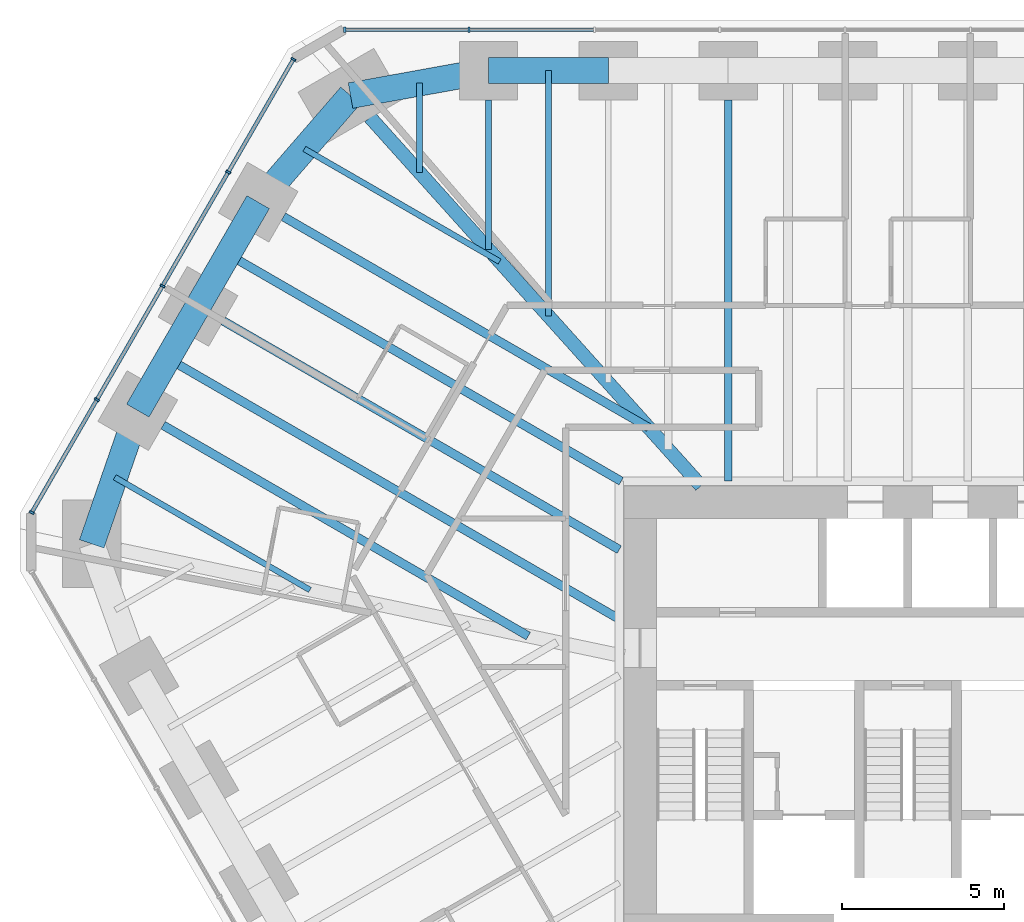
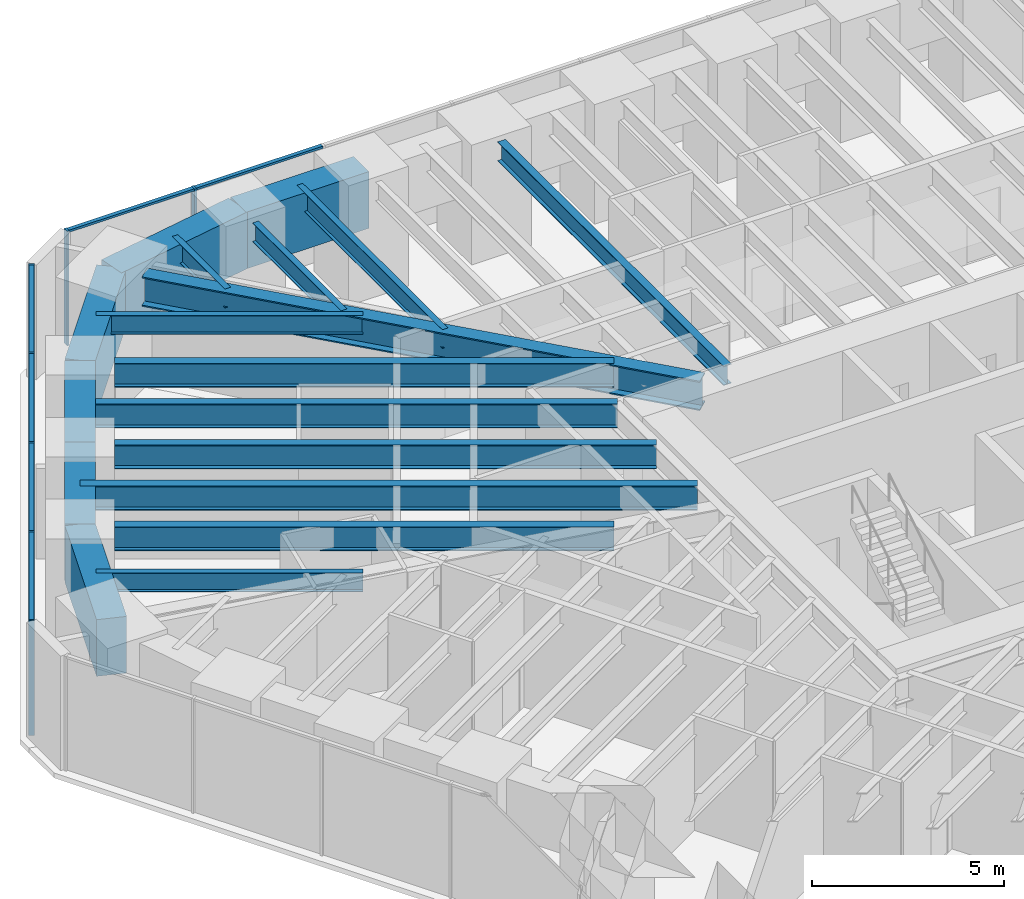
# One storey, part 7 of 16: 18 beams, 13 members, 2 elements without a shape of their own.
"""IFC4 building model written with IfcOpenShell, lengths in metres."""

from ifc_helpers import new_model, si_unit, direction, frame, origin, origin_2d, place, context, subcontext, project, spatial, rectangle, i_section, extrude, material, material_profile, profile_set, type_object, element, aggregate, save


model = new_model("IFC4")

# Units and contexts
model_context = context("Model", 3, precision=1e-05, world=origin(), true_north=direction((0.0, 1.0)))
body_context = subcontext(model_context, "Body", "Model", "MODEL_VIEW")
ifc_project = project(units=[si_unit("LENGTHUNIT", "METRE"), si_unit("AREAUNIT", "SQUARE_METRE"), si_unit("VOLUMEUNIT", "CUBIC_METRE"), si_unit("PLANEANGLEUNIT", "RADIAN"), si_unit("MASSUNIT", "GRAM", prefix="KILO")], contexts=[model_context])

# Site, building, storey
site_placement = place(None, origin())
site = spatial("IfcSite", under=ifc_project, at=site_placement, CompositionType="ELEMENT")
building_placement = place(site_placement, origin())
building = spatial("IfcBuilding", under=site, at=building_placement, Name="Sandreach Pilgrim Tower", CompositionType="ELEMENT")
storey_placement = place(building_placement, frame((0.0, 0.0, 183.199951171875)))
storey = spatial("IfcBuildingStorey", under=building, at=storey_placement, Name="L45", CompositionType="ELEMENT", Elevation=183.199951171875)

# Curtain wall, members
ifc_material_1 = material(Name="Aluminium framed curtain wall", Category="aluminium")
curtain_wall_type = type_object("IfcCurtainWallType", Name="Upper hotel tower curtain wall", PredefinedType="NOTDEFINED", material=ifc_material_1)
curtain_wall_1_placement = place(storey_placement, origin())
curtain_wall_1 = element("IfcCurtainWall", 1, at=curtain_wall_1_placement, inside=storey, type_object=curtain_wall_type, Name="CW-3 L45 N", PredefinedType="NOTDEFINED")
ifc_material_2 = material(Name="Aluminium extrusion", Category="aluminium")
ifc_material_profile_1 = material_profile(ifc_material_2, rectangle(XDim=0.06494140625, YDim=0.159912109375, at=origin_2d()), Name="CW-3M 65X160")
ifc_profile_set_1 = profile_set([ifc_material_profile_1], Name="Aluminium extrusion")
member_type_1 = type_object("IfcMemberType", Name="CW-3 mullion", PredefinedType="MULLION", material=ifc_profile_set_1)
member_1_placement = place(storey_placement, frame((-17.357421875, 21.16015625, 0.0), z_axis=(0.0, 0.0, 1.0), x_axis=(1.0, 0.0, 0.0)))
member_1 = element("IfcMember", 2, at=member_1_placement, type_object=member_type_1, Name="CW-3 mullion 1", PredefinedType="MULLION", context=body_context, shape_type="SweptSolid", body=[
    extrude(rectangle(XDim=0.06494140625, YDim=0.159912109375, at=origin_2d()), origin(), (0.0, 0.0, 1.0), 3.64013671875),
])
member_2_placement = place(storey_placement, frame((-13.525390625, 21.16015625, 0.0), z_axis=(0.0, 0.0, 1.0), x_axis=(1.0, 0.0, 0.0)))
member_2 = element("IfcMember", 3, at=member_2_placement, type_object=member_type_1, Name="CW-3 mullion 2", PredefinedType="MULLION", context=body_context, shape_type="SweptSolid", body=[
    extrude(rectangle(XDim=0.06494140625, YDim=0.159912109375, at=origin_2d()), origin(), (0.0, 0.0, 1.0), 3.64013671875),
])

curtain_wall_2_placement = place(storey_placement, origin())
curtain_wall_2 = element("IfcCurtainWall", 4, at=curtain_wall_2_placement, inside=storey, type_object=curtain_wall_type, Name="CW-3 L45 NW", PredefinedType="NOTDEFINED")
member_3_placement = place(storey_placement, frame((-27.00390625, 6.278076171875, 0.0), z_axis=(0.0, 0.0, 1.0), x_axis=(0.5, 0.866025403784, 0.0)))
member_3 = element("IfcMember", 5, at=member_3_placement, type_object=member_type_1, Name="CW-3 mullion 1", PredefinedType="MULLION", context=body_context, shape_type="SweptSolid", body=[
    extrude(rectangle(XDim=0.06494140625, YDim=0.159912109375, at=origin_2d()), origin(), (0.0, 0.0, 1.0), 3.64013671875),
])
member_4_placement = place(storey_placement, frame((-24.995849609375, 9.75634765625, 0.0), z_axis=(0.0, 0.0, 1.0), x_axis=(0.5, 0.866025403784, 0.0)))
member_4 = element("IfcMember", 6, at=member_4_placement, type_object=member_type_1, Name="CW-3 mullion 2", PredefinedType="MULLION", context=body_context, shape_type="SweptSolid", body=[
    extrude(rectangle(XDim=0.06494140625, YDim=0.159912109375, at=origin_2d()), origin(), (0.0, 0.0, 1.0), 3.64013671875),
])
member_5_placement = place(storey_placement, frame((-22.971435546875, 13.262451171875, 0.0), z_axis=(0.0, 0.0, 1.0), x_axis=(0.5, 0.866025403784, 0.0)))
member_5 = element("IfcMember", 7, at=member_5_placement, type_object=member_type_1, Name="CW-3 mullion 3", PredefinedType="MULLION", context=body_context, shape_type="SweptSolid", body=[
    extrude(rectangle(XDim=0.06494140625, YDim=0.159912109375, at=origin_2d()), origin(), (0.0, 0.0, 1.0), 3.64013671875),
])
member_6_placement = place(storey_placement, frame((-20.947021484375, 16.768798828125, 0.0), z_axis=(0.0, 0.0, 1.0), x_axis=(0.5, 0.866025403784, 0.0)))
member_6 = element("IfcMember", 8, at=member_6_placement, type_object=member_type_1, Name="CW-3 mullion 4", PredefinedType="MULLION", context=body_context, shape_type="SweptSolid", body=[
    extrude(rectangle(XDim=0.06494140625, YDim=0.159912109375, at=origin_2d()), origin(), (0.0, 0.0, 1.0), 3.64013671875),
])
member_7_placement = place(storey_placement, frame((-18.93896484375, 20.2470703125, 0.0), z_axis=(0.0, 0.0, 1.0), x_axis=(0.5, 0.866025403784, 0.0)))
member_7 = element("IfcMember", 9, at=member_7_placement, type_object=member_type_1, Name="CW-3 mullion 5", PredefinedType="MULLION", context=body_context, shape_type="SweptSolid", body=[
    extrude(rectangle(XDim=0.06494140625, YDim=0.159912109375, at=origin_2d()), origin(), (0.0, 0.0, 1.0), 3.64013671875),
])

# Member
ifc_material_3 = material(Name="Aluminium extrusion", Category="aluminium")
ifc_material_profile_2 = material_profile(ifc_material_3, rectangle(XDim=0.1201171875, YDim=0.070068359375, at=origin_2d()), Name="CW-3T 120X70")
ifc_profile_set_2 = profile_set([ifc_material_profile_2], Name="Aluminium extrusion")
member_type_2 = type_object("IfcMemberType", Name="CW-3 transom", PredefinedType="USERDEFINED", material=ifc_profile_set_2)
member_8_placement = place(storey_placement, frame((-17.324951171875, 21.16015625, 3.60498046875), z_axis=(1.0, 0.0, 0.0), x_axis=(0.0, 1.0, 0.0)))
member_8 = element("IfcMember", 10, at=member_8_placement, type_object=member_type_2, Name="CW-3 head transom 1", ObjectType="TRANSOM", PredefinedType="USERDEFINED", context=body_context, shape_type="SweptSolid", body=[
    extrude(rectangle(XDim=0.1201171875, YDim=0.070068359375, at=origin_2d()), origin(), (0.0, 0.0, 1.0), 3.76708984375),
])

member_9_placement = place(storey_placement, frame((-13.492919921875, 21.16015625, 3.60498046875), z_axis=(1.0, 0.0, 0.0), x_axis=(0.0, 1.0, 0.0)))
member_9 = element("IfcMember", 11, at=member_9_placement, type_object=member_type_2, Name="CW-3 head transom 2", ObjectType="TRANSOM", PredefinedType="USERDEFINED", context=body_context, shape_type="SweptSolid", body=[
    extrude(rectangle(XDim=0.1201171875, YDim=0.070068359375, at=origin_2d()), origin(), (0.0, 0.0, 1.0), 3.79931640625),
])

aggregate(curtain_wall_1, [member_1, member_2, member_8, member_9])

member_10_placement = place(storey_placement, frame((-26.987548828125, 6.306396484375, 3.60498046875), z_axis=(0.499993448556, 0.866029186229, 0.0), x_axis=(-0.866029186229, 0.499993448556, 0.0)))
member_10 = element("IfcMember", 12, at=member_10_placement, type_object=member_type_2, Name="CW-3 head transom 1", ObjectType="TRANSOM", PredefinedType="USERDEFINED", context=body_context, shape_type="SweptSolid", body=[
    extrude(rectangle(XDim=0.1201171875, YDim=0.070068359375, at=origin_2d()), origin(), (0.0, 0.0, 1.0), 3.951171875),
])

member_11_placement = place(storey_placement, frame((-24.9794921875, 9.784423828125, 3.60498046875), z_axis=(0.499975332564, 0.866039645067, 0.0), x_axis=(-0.866039645067, 0.499975332564, 0.0)))
member_11 = element("IfcMember", 13, at=member_11_placement, type_object=member_type_2, Name="CW-3 head transom 2", ObjectType="TRANSOM", PredefinedType="USERDEFINED", context=body_context, shape_type="SweptSolid", body=[
    extrude(rectangle(XDim=0.1201171875, YDim=0.070068359375, at=origin_2d()), origin(), (0.0, 0.0, 1.0), 3.983642578125),
])

member_12_placement = place(storey_placement, frame((-22.955078125, 13.290771484375, 3.60498046875), z_axis=(0.499975332564, 0.866039645067, 0.0), x_axis=(-0.866039645067, 0.499975332564, 0.0)))
member_12 = element("IfcMember", 14, at=member_12_placement, type_object=member_type_2, Name="CW-3 head transom 3", ObjectType="TRANSOM", PredefinedType="USERDEFINED", context=body_context, shape_type="SweptSolid", body=[
    extrude(rectangle(XDim=0.1201171875, YDim=0.070068359375, at=origin_2d()), origin(), (0.0, 0.0, 1.0), 3.983642578125),
])

member_13_placement = place(storey_placement, frame((-20.930908203125, 16.796875, 3.60498046875), z_axis=(0.499993448556, 0.866029186229, 0.0), x_axis=(-0.866029186229, 0.499993448556, 0.0)))
member_13 = element("IfcMember", 15, at=member_13_placement, type_object=member_type_2, Name="CW-3 head transom 4", ObjectType="TRANSOM", PredefinedType="USERDEFINED", context=body_context, shape_type="SweptSolid", body=[
    extrude(rectangle(XDim=0.1201171875, YDim=0.070068359375, at=origin_2d()), origin(), (0.0, 0.0, 1.0), 3.951171875),
])

aggregate(curtain_wall_2, [member_3, member_4, member_5, member_6, member_7, member_10, member_11, member_12, member_13])

# Beams
ifc_material_4 = material(Name="Steel ASTM A992 Grade 50", Category="steel")
ifc_material_profile_3 = material_profile(ifc_material_4, i_section(OverallWidth=0.421630859375, OverallDepth=0.937255859375, WebThickness=0.0224609375, FlangeThickness=0.039794921875, at=origin_2d()), Name="W36X282")
ifc_profile_set_3 = profile_set([ifc_material_profile_3], Name="Steel ASTM A992 Grade 50")
beam_type_1 = type_object("IfcBeamType", Name="Corner girder W36X282", PredefinedType="BEAM", material=ifc_profile_set_3)
beam_1_placement = place(storey_placement, frame((-16.57666015625, 18.4609375, 3.17138671875), z_axis=(0.668110921251, -0.744061688911, 0.0), x_axis=(0.744061688911, 0.668110921251, 0.0)))
element("IfcBeam", 16, at=beam_1_placement, inside=storey, type_object=beam_type_1, Name="BM L45 CG39", PredefinedType="BEAM", context=body_context, shape_type="SweptSolid", body=[
    extrude(i_section(OverallWidth=0.421630859375, OverallDepth=0.937255859375, WebThickness=0.0224609375, FlangeThickness=0.039794921875, at=origin_2d()), origin(), (0.0, 0.0, 1.0), 15.268798828125),
])
ifc_material_5 = material(Name="Steel ASTM A992 Grade 50", Category="steel")
ifc_material_profile_4 = material_profile(ifc_material_5, i_section(OverallWidth=0.1787109375, OverallDepth=0.60205078125, WebThickness=0.010986328125, FlangeThickness=0.014892578125, at=origin_2d()), Name="W24X62")
ifc_profile_set_4 = profile_set([ifc_material_profile_4], Name="Steel ASTM A992 Grade 50")
beam_type_2 = type_object("IfcBeamType", Name="Floor beam W24X62", PredefinedType="BEAM", material=ifc_profile_set_4)
beam_2_placement = place(storey_placement, frame((-12.923828125, 19.0, 3.339111328125), z_axis=(0.0, -1.0, 0.0), x_axis=(1.0, 0.0, 0.0)))
element("IfcBeam", 17, at=beam_2_placement, inside=storey, type_object=beam_type_2, Name="BM L45 F01", PredefinedType="BEAM", context=body_context, shape_type="SweptSolid", body=[
    extrude(i_section(OverallWidth=0.1787109375, OverallDepth=0.60205078125, WebThickness=0.010986328125, FlangeThickness=0.014892578125, at=origin_2d()), origin(), (0.0, 0.0, 1.0), 4.607421875),
])
beam_3_placement = place(storey_placement, frame((-11.077392578125, 19.900146484375, 3.339111328125), z_axis=(0.0, -1.0, 0.0), x_axis=(1.0, 0.0, 0.0)))
element("IfcBeam", 18, at=beam_3_placement, inside=storey, type_object=beam_type_2, Name="BM L45 FM01", PredefinedType="BEAM", context=body_context, shape_type="SweptSolid", body=[
    extrude(i_section(OverallWidth=0.1787109375, OverallDepth=0.60205078125, WebThickness=0.010986328125, FlangeThickness=0.014892578125, at=origin_2d()), origin(), (0.0, 0.0, 1.0), 7.563720703125),
])
for number, where, z_axis, x_axis, name in (
    (19, (-24.446044921875, 7.365234375, 3.339111328125), (0.866029381593, -0.499993110171, 0.0), (0.499993110171, 0.866029381593, 0.0), "BM L45 FM35"),
    (20, (-18.6015625, 17.48828125, 3.339111328125), (0.866029381593, -0.499993110171, 0.0), (0.499993110171, 0.866029381593, 0.0), "BM L45 FM38"),
):
    element("IfcBeam", number, at=place(storey_placement, frame(where, z_axis=z_axis, x_axis=x_axis)), inside=storey, type_object=beam_type_2, Name=name, PredefinedType="BEAM", context=body_context, shape_type="SweptSolid", body=[
        extrude(i_section(OverallWidth=0.1787109375, OverallDepth=0.60205078125, WebThickness=0.010986328125, FlangeThickness=0.014892578125, at=origin_2d()), origin(), (0.0, 0.0, 1.0), 6.94921875),
    ])
beam_4_placement = place(storey_placement, frame((-15.05078125, 19.515380859375, 3.339111328125), z_axis=(0.0, -1.0, 0.0), x_axis=(1.0, 0.0, 0.0)))
element("IfcBeam", 21, at=beam_4_placement, inside=storey, type_object=beam_type_2, Name="BM L45 FM39", PredefinedType="BEAM", context=body_context, shape_type="SweptSolid", body=[
    extrude(i_section(OverallWidth=0.1787109375, OverallDepth=0.60205078125, WebThickness=0.010986328125, FlangeThickness=0.014892578125, at=origin_2d()), origin(), (0.0, 0.0, 1.0), 2.75390625),
])
ifc_material_6 = material(Name="Steel ASTM A992 Grade 50", Category="steel")
ifc_material_profile_5 = material_profile(ifc_material_6, i_section(OverallWidth=0.23046875, OverallDepth=0.6171875, WebThickness=0.01318359375, FlangeThickness=0.022216796875, at=origin_2d()), Name="W24X94")
ifc_profile_set_5 = profile_set([ifc_material_profile_5], Name="Steel ASTM A992 Grade 50")
beam_type_3 = type_object("IfcBeamType", Name="Floor beam W24X94", PredefinedType="BEAM", material=ifc_profile_set_5)
beam_5_placement = place(storey_placement, frame((-5.538818359375, 19.0, 3.33154296875), z_axis=(0.0, -1.0, 0.0), x_axis=(1.0, 0.0, 0.0)))
element("IfcBeam", 22, at=beam_5_placement, inside=storey, type_object=beam_type_3, Name="BM L45 F03", PredefinedType="BEAM", context=body_context, shape_type="SweptSolid", body=[
    extrude(i_section(OverallWidth=0.23046875, OverallDepth=0.6171875, WebThickness=0.01318359375, FlangeThickness=0.022216796875, at=origin_2d()), origin(), (0.0, 0.0, 1.0), 11.756591796875),
])
ifc_material_7 = material(Name="Steel ASTM A992 Grade 50", Category="steel")
ifc_material_profile_6 = material_profile(ifc_material_7, i_section(OverallWidth=0.2666015625, OverallDepth=0.761962890625, WebThickness=0.014404296875, FlangeThickness=0.021484375, at=origin_2d()), Name="W30X116")
ifc_profile_set_6 = profile_set([ifc_material_profile_6], Name="Steel ASTM A992 Grade 50")
beam_type_4 = type_object("IfcBeamType", Name="Floor beam W30X116", PredefinedType="BEAM", material=ifc_profile_set_6)
beam_6_placement = place(storey_placement, frame((-22.9560546875, 8.96923828125, 3.259033203125), z_axis=(0.86602575807, -0.499999386358, 0.0), x_axis=(0.499999386358, 0.86602575807, 0.0)))
element("IfcBeam", 23, at=beam_6_placement, inside=storey, type_object=beam_type_4, Name="BM L45 F36", PredefinedType="BEAM", context=body_context, shape_type="SweptSolid", body=[
    extrude(i_section(OverallWidth=0.2666015625, OverallDepth=0.761962890625, WebThickness=0.014404296875, FlangeThickness=0.021484375, at=origin_2d()), origin(), (0.0, 0.0, 1.0), 12.99853515625),
])
beam_7_placement = place(storey_placement, frame((-21.100830078125, 12.1826171875, 3.259033203125), z_axis=(0.866022915081, -0.500004310537, 0.0), x_axis=(0.500004310537, 0.866022915081, 0.0)))
element("IfcBeam", 24, at=beam_7_placement, inside=storey, type_object=beam_type_4, Name="BM L45 F37", PredefinedType="BEAM", context=body_context, shape_type="SweptSolid", body=[
    extrude(i_section(OverallWidth=0.2666015625, OverallDepth=0.761962890625, WebThickness=0.014404296875, FlangeThickness=0.021484375, at=origin_2d()), origin(), (0.0, 0.0, 1.0), 14.09619140625),
])
beam_8_placement = place(storey_placement, frame((-19.24560546875, 15.395751953125, 3.259033203125), z_axis=(0.866029195513, -0.499993432475, 0.0), x_axis=(0.499993432475, 0.866029195513, 0.0)))
element("IfcBeam", 25, at=beam_8_placement, inside=storey, type_object=beam_type_4, Name="BM L45 F38", PredefinedType="BEAM", context=body_context, shape_type="SweptSolid", body=[
    extrude(i_section(OverallWidth=0.2666015625, OverallDepth=0.761962890625, WebThickness=0.014404296875, FlangeThickness=0.021484375, at=origin_2d()), origin(), (0.0, 0.0, 1.0), 12.998291015625),
])
beam_9_placement = place(storey_placement, frame((-20.95263671875, 14.2392578125, 3.259033203125), z_axis=(0.866025770688, -0.499999364504, 0.0), x_axis=(0.499999364504, 0.866025770688, 0.0)))
element("IfcBeam", 26, at=beam_9_placement, inside=storey, type_object=beam_type_4, Name="BM L45 FM37", PredefinedType="BEAM", context=body_context, shape_type="SweptSolid", body=[
    extrude(i_section(OverallWidth=0.2666015625, OverallDepth=0.761962890625, WebThickness=0.014404296875, FlangeThickness=0.021484375, at=origin_2d()), origin(), (0.0, 0.0, 1.0), 13.99169921875),
])
ifc_material_8 = material(Name="Steel ASTM A992 Grade 50", Category="steel")
ifc_material_profile_7 = material_profile(ifc_material_8, i_section(OverallWidth=0.2666015625, OverallDepth=0.77978515625, WebThickness=0.0166015625, FlangeThickness=0.030029296875, at=origin_2d()), Name="W30X148")
ifc_profile_set_7 = profile_set([ifc_material_profile_7], Name="Steel ASTM A992 Grade 50")
beam_type_5 = type_object("IfcBeamType", Name="Floor beam W30X148", PredefinedType="BEAM", material=ifc_profile_set_7)
beam_10_placement = place(storey_placement, frame((-22.807861328125, 11.02587890625, 3.250244140625), z_axis=(0.866028701771, -0.499994287676, 0.0), x_axis=(0.499994287676, 0.866028701771, 0.0)))
element("IfcBeam", 27, at=beam_10_placement, inside=storey, type_object=beam_type_5, Name="BM L45 FM36", PredefinedType="BEAM", context=body_context, shape_type="SweptSolid", body=[
    extrude(i_section(OverallWidth=0.2666015625, OverallDepth=0.77978515625, WebThickness=0.0166015625, FlangeThickness=0.030029296875, at=origin_2d()), origin(), (0.0, 0.0, 1.0), 16.067138671875),
])
ifc_material_9 = material(Name="Concrete 10000 psi", Category="concrete")
ifc_material_profile_8 = material_profile(ifc_material_9, rectangle(XDim=0.800048828125, YDim=1.800048828125, at=origin_2d()), Name="RC800X1800")
ifc_profile_set_8 = profile_set([ifc_material_profile_8], Name="Concrete 10000 psi")
beam_type_6 = type_object("IfcBeamType", Name="Spandrel beam RC800X1800", PredefinedType="SPANDREL", material=ifc_profile_set_8)
beam_11_placement = place(storey_placement, frame((-12.923828125, 19.900146484375, 2.739990234375), z_axis=(1.0, 0.0, 0.0), x_axis=(0.0, 1.0, 0.0)))
element("IfcBeam", 28, at=beam_11_placement, inside=storey, type_object=beam_type_6, Name="BM L45 SP01", PredefinedType="SPANDREL", context=body_context, shape_type="SweptSolid", body=[
    extrude(rectangle(XDim=0.800048828125, YDim=1.800048828125, at=origin_2d()), origin(), (0.0, 0.0, 1.0), 3.692626953125),
])
beam_12_placement = place(storey_placement, frame((-25.156494140625, 5.311279296875, 2.739990234375), z_axis=(0.326940800053, 0.945044820768, 0.0), x_axis=(-0.945044820768, 0.326940800053, 0.0)))
element("IfcBeam", 29, at=beam_12_placement, inside=storey, type_object=beam_type_6, Name="BM L45 SP35", PredefinedType="SPANDREL", context=body_context, shape_type="SweptSolid", body=[
    extrude(rectangle(XDim=0.800048828125, YDim=1.800048828125, at=origin_2d()), origin(), (0.0, 0.0, 1.0), 4.3466796875),
])
for number, where, z_axis, x_axis, name in (
    (30, (-23.7353515625, 9.419189453125, 2.739990234375), (0.499946491854, 0.866056294523, 0.0), (-0.866056294523, 0.499946491854, 0.0), "BM L45 SP36"),
    (31, (-21.88037109375, 12.632568359375, 2.739990234375), (0.499995842751, 0.86602780396, 0.0), (-0.86602780396, 0.499995842751, 0.0), "BM L45 SP37"),
):
    element("IfcBeam", number, at=place(storey_placement, frame(where, z_axis=z_axis, x_axis=x_axis)), inside=storey, type_object=beam_type_6, Name=name, PredefinedType="SPANDREL", context=body_context, shape_type="SweptSolid", body=[
        extrude(rectangle(XDim=0.800048828125, YDim=1.800048828125, at=origin_2d()), origin(), (0.0, 0.0, 1.0), 3.71044921875),
    ])
beam_13_placement = place(storey_placement, frame((-20.025146484375, 15.845947265625, 2.739990234375), z_axis=(0.65499040715, 0.755637192402, 0.0), x_axis=(-0.755637192402, 0.65499040715, 0.0)))
element("IfcBeam", 32, at=beam_13_placement, inside=storey, type_object=beam_type_6, Name="BM L45 SP38", PredefinedType="SPANDREL", context=body_context, shape_type="SweptSolid", body=[
    extrude(rectangle(XDim=0.800048828125, YDim=1.800048828125, at=origin_2d()), origin(), (0.0, 0.0, 1.0), 4.346923828125),
])
beam_14_placement = place(storey_placement, frame((-17.177978515625, 19.130615234375, 2.739990234375), z_axis=(0.984030345637, 0.178000783326, 0.0), x_axis=(-0.178000783326, 0.984030345637, 0.0)))
element("IfcBeam", 33, at=beam_14_placement, inside=storey, type_object=beam_type_6, Name="BM L45 SP39", PredefinedType="SPANDREL", context=body_context, shape_type="SweptSolid", body=[
    extrude(rectangle(XDim=0.800048828125, YDim=1.800048828125, at=origin_2d()), origin(), (0.0, 0.0, 1.0), 4.3232421875),
])

save(model, "model.ifc")
